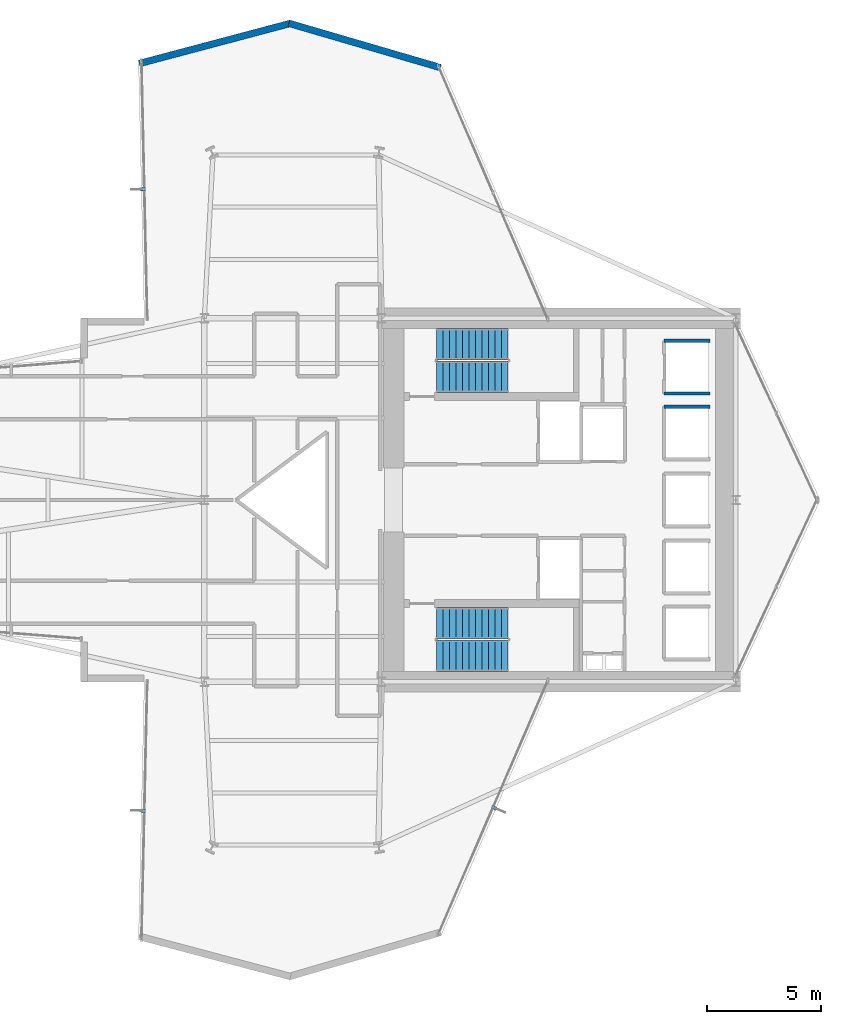
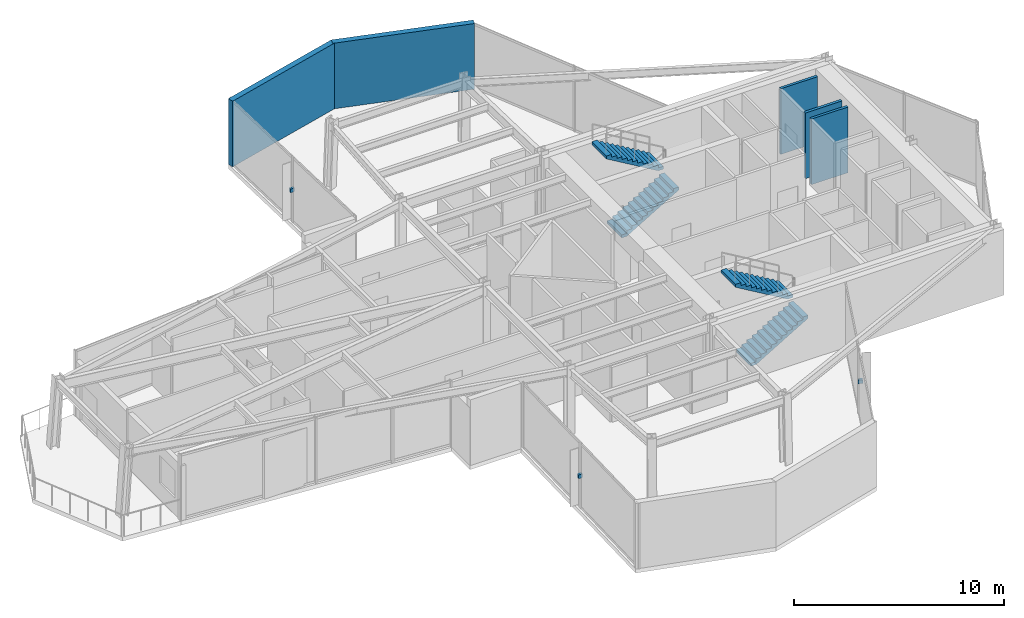
# One storey, part 24 of 26: 5 walls, 4 stair flights, 3 discrete accessories, 2 elements without a shape of their own.
"""IFC4 building model written with IfcOpenShell, lengths in metres."""

from ifc_helpers import new_model, si_unit, direction, frame, frame_2d, origin, origin_2d, place, context, subcontext, project, spatial, polyline, rectangle, outline, extrude, material, layer, layer_set, type_object, element, aggregate, save


model = new_model("IFC4")

# Units and contexts
model_context = context("Model", 3, precision=1e-05, world=origin(), true_north=direction((0.0, 1.0)))
body_context = subcontext(model_context, "Body", "Model", "MODEL_VIEW")
ifc_project = project(units=[si_unit("LENGTHUNIT", "METRE"), si_unit("AREAUNIT", "SQUARE_METRE"), si_unit("VOLUMEUNIT", "CUBIC_METRE"), si_unit("PLANEANGLEUNIT", "RADIAN"), si_unit("MASSUNIT", "GRAM", prefix="KILO")], contexts=[model_context])

# Site, building, storey
site_placement = place(None, origin())
site = spatial("IfcSite", under=ifc_project, at=site_placement, CompositionType="ELEMENT")
building_placement = place(site_placement, origin())
building = spatial("IfcBuilding", under=site, at=building_placement, Name="Veymaron Broadcast Tower", CompositionType="ELEMENT")
storey_placement = place(building_placement, frame((0.0, 0.0, 90.449951171875)))
storey = spatial("IfcBuildingStorey", under=building, at=storey_placement, Name="L20", CompositionType="ELEMENT", Elevation=90.449951171875)

# Walls
ifc_material_1 = material(Name="Precast concrete C40/50 with mineral-wool insulation", Category="concrete")
ifc_layer_1 = layer(ifc_material_1, 0.300048828125)
ifc_layer_set_1 = layer_set([ifc_layer_1], Name="Precast concrete C40/50 with mineral-wool insulation")
wall_type_1 = type_object("IfcWallType", Name="WALL-EXT-300", PredefinedType="STANDARD", material=ifc_layer_set_1)
wall_1_placement = place(storey_placement, frame((41.58642578125, 43.03955078125, 0.0), z_axis=(0.0, 0.0, 1.0), x_axis=(-0.95987901055, 0.280414488045, 0.0)))
element("IfcWall", 1, at=wall_1_placement, inside=storey, type_object=wall_type_1, Name="L20 notched corner facade pier 7-1", PredefinedType="STANDARD", context=body_context, shape_type="SweptSolid", body=[
    extrude(rectangle(XDim=6.943359375, YDim=0.300048828125, at=frame_2d((3.4716796875, 0.0))), origin(), (0.0, 0.0, 1.0), 3.81005859375),
])
wall_2_placement = place(storey_placement, frame((34.996826171875, 44.985595703125, 0.0), z_axis=(0.0, 0.0, 1.0), x_axis=(-0.966505300828, -0.256646651002, 0.0)))
element("IfcWall", 2, at=wall_2_placement, inside=storey, type_object=wall_type_1, Name="L20 notched corner facade pier 8-1", PredefinedType="STANDARD", context=body_context, shape_type="SweptSolid", body=[
    extrude(rectangle(XDim=6.895751953125, YDim=0.300048828125, at=frame_2d((3.44775390625, 0.0))), origin(), (0.0, 0.0, 1.0), 3.81005859375),
])
ifc_material_2 = material(Name="Gypsum fireboard and steel stud framing", Category="steel")
ifc_layer_2 = layer(ifc_material_2, 0.14990234375)
ifc_layer_set_2 = layer_set([ifc_layer_2], Name="Gypsum fireboard and steel stud framing")
wall_type_2 = type_object("IfcWallType", Name="WALL-FIRE-150", PredefinedType="PARTITIONING", material=ifc_layer_set_2)
for number, where, z_axis, x_axis, name in (
    (3, (51.445068359375, 28.68994140625, 0.0), (0.0, 0.0, 1.0), (1.0, 0.0, 0.0), "L20 partition IW-L20-SHS-PL1"),
    (4, (51.445068359375, 31.010009765625, 0.0), (0.0, 0.0, 1.0), (1.0, 0.0, 0.0), "L20 partition IW-L20-SHN-PL1"),
    (5, (51.445068359375, 28.110107421875, 0.0), (0.0, 0.0, 1.0), (1.0, 0.0, 0.0), "L20 partition IW-L20-SHN-PM1"),
):
    element("IfcWall", number, at=place(storey_placement, frame(where, z_axis=z_axis, x_axis=x_axis)), inside=storey, type_object=wall_type_2, Name=name, PredefinedType="PARTITIONING", context=body_context, shape_type="SweptSolid", body=[
        extrude(rectangle(XDim=2.014892578125, YDim=0.14990234375, at=frame_2d((1.00732421875, 0.0))), origin(), (0.0, 0.0, 1.0), 3.81005859375),
    ])

# Stair, stair flights
ifc_material_3 = material(Name="Concrete C50/60", Category="concrete")
stair_type_1 = type_object("IfcStairType", Name="STAIR-CORE-1", PredefinedType="HALF_TURN_STAIR", material=ifc_material_3)
stair_1_placement = place(storey_placement, origin())
stair_1 = element("IfcStair", 6, at=stair_1_placement, inside=storey, type_object=stair_type_1, Name="L20 North protected dog-leg exit stair ST1", PredefinedType="HALF_TURN_STAIR")
ifc_material_4 = material(Name="Precast concrete C50/60", Category="concrete")
stair_flight_type = type_object("IfcStairFlightType", Name="FLT-CORE-RC", PredefinedType="STRAIGHT", material=ifc_material_4)
stair_flight_1_placement = place(storey_placement, frame((41.429931640625, 29.419921875, 0.0), z_axis=(0.0, 0.0, 1.0), x_axis=(1.0, 0.0, 0.0)))
stair_flight_1 = element("IfcStairFlight", 7, at=stair_flight_1_placement, type_object=stair_flight_type, Name="ST1 flight 1", NumberOfRisers=12, NumberOfTreads=11, PredefinedType="STRAIGHT", RiserHeight=0.16875, TreadLength=0.285, context=body_context, shape_type="SweptSolid", body=[
    extrude(outline(polyline([(0.0, 0.0), (0.0, 0.168701171875), (0.284912109375, 0.168701171875), (0.284912109375, 0.33740234375), (0.570068359375, 0.33740234375), (0.570068359375, 0.50634765625), (0.85498046875, 0.50634765625), (0.85498046875, 0.675048828125), (1.139892578125, 0.675048828125), (1.139892578125, 0.84375), (1.425048828125, 0.84375), (1.425048828125, 1.012451171875), (1.7099609375, 1.012451171875), (1.7099609375, 1.18115234375), (1.9951171875, 1.18115234375), (1.9951171875, 1.35009765625), (2.280029296875, 1.35009765625), (2.280029296875, 1.518798828125), (2.56494140625, 1.518798828125), (2.56494140625, 1.6875), (2.85009765625, 1.6875), (2.85009765625, 1.856201171875), (3.135009765625, 1.856201171875), (3.135009765625, 2.02490234375), (3.135009765625, 1.68212890625), (0.294189453125, 0.0), (0.0, 0.0)])), frame((0.0, 0.68994140625, 0.0), z_axis=(0.0, -1.0, 0.0), x_axis=(1.0, 0.0, 0.0)), (0.0, 0.0, 1.0), 1.3798828125),
])
stair_flight_2_placement = place(storey_placement, frame((44.56494140625, 30.860107421875, 2.025146484375), z_axis=(0.0, 0.0, 1.0), x_axis=(-1.0, 0.0, 0.0)))
stair_flight_2 = element("IfcStairFlight", 8, at=stair_flight_2_placement, type_object=stair_flight_type, Name="ST1 flight 2", NumberOfRisers=12, NumberOfTreads=11, PredefinedType="STRAIGHT", RiserHeight=0.16875, TreadLength=0.285, context=body_context, shape_type="SweptSolid", body=[
    extrude(outline(polyline([(0.0, 0.0), (0.0, 0.168701171875), (0.284912109375, 0.168701171875), (0.284912109375, 0.33740234375), (0.570068359375, 0.33740234375), (0.570068359375, 0.50634765625), (0.85498046875, 0.50634765625), (0.85498046875, 0.675048828125), (1.139892578125, 0.675048828125), (1.139892578125, 0.84375), (1.425048828125, 0.84375), (1.425048828125, 1.012451171875), (1.7099609375, 1.012451171875), (1.7099609375, 1.18115234375), (1.9951171875, 1.18115234375), (1.9951171875, 1.35009765625), (2.280029296875, 1.35009765625), (2.280029296875, 1.518798828125), (2.56494140625, 1.518798828125), (2.56494140625, 1.6875), (2.85009765625, 1.6875), (2.85009765625, 1.856201171875), (3.135009765625, 1.856201171875), (3.135009765625, 2.02490234375), (3.135009765625, 1.68212890625), (0.294189453125, 0.0), (0.0, 0.0)])), frame((0.0, 0.68994140625, 0.0), z_axis=(0.0, -1.0, 0.0), x_axis=(1.0, 0.0, 0.0)), (0.0, 0.0, 1.0), 1.3798828125),
])
aggregate(stair_1, [stair_flight_1, stair_flight_2])

stair_type_2 = type_object("IfcStairType", Name="STAIR-CORE-2", PredefinedType="HALF_TURN_STAIR", material=ifc_material_3)
stair_2_placement = place(storey_placement, origin())
stair_2 = element("IfcStair", 9, at=stair_2_placement, inside=storey, type_object=stair_type_2, Name="L20 South protected dog-leg exit stair ST2", PredefinedType="HALF_TURN_STAIR")
stair_flight_3_placement = place(storey_placement, frame((41.429931640625, 17.139892578125, 0.0), z_axis=(0.0, 0.0, 1.0), x_axis=(1.0, 0.0, 0.0)))
stair_flight_3 = element("IfcStairFlight", 10, at=stair_flight_3_placement, type_object=stair_flight_type, Name="ST2 flight 1", NumberOfRisers=12, NumberOfTreads=11, PredefinedType="STRAIGHT", RiserHeight=0.16875, TreadLength=0.285, context=body_context, shape_type="SweptSolid", body=[
    extrude(outline(polyline([(0.0, 0.0), (0.0, 0.168701171875), (0.284912109375, 0.168701171875), (0.284912109375, 0.33740234375), (0.570068359375, 0.33740234375), (0.570068359375, 0.50634765625), (0.85498046875, 0.50634765625), (0.85498046875, 0.675048828125), (1.139892578125, 0.675048828125), (1.139892578125, 0.84375), (1.425048828125, 0.84375), (1.425048828125, 1.012451171875), (1.7099609375, 1.012451171875), (1.7099609375, 1.18115234375), (1.9951171875, 1.18115234375), (1.9951171875, 1.35009765625), (2.280029296875, 1.35009765625), (2.280029296875, 1.518798828125), (2.56494140625, 1.518798828125), (2.56494140625, 1.6875), (2.85009765625, 1.6875), (2.85009765625, 1.856201171875), (3.135009765625, 1.856201171875), (3.135009765625, 2.02490234375), (3.135009765625, 1.68212890625), (0.294189453125, 0.0), (0.0, 0.0)])), frame((0.0, 0.68994140625, 0.0), z_axis=(0.0, -1.0, 0.0), x_axis=(1.0, 0.0, 0.0)), (0.0, 0.0, 1.0), 1.3798828125),
])
stair_flight_4_placement = place(storey_placement, frame((44.56494140625, 18.580078125, 2.025146484375), z_axis=(0.0, 0.0, 1.0), x_axis=(-1.0, 0.0, 0.0)))
stair_flight_4 = element("IfcStairFlight", 11, at=stair_flight_4_placement, type_object=stair_flight_type, Name="ST2 flight 2", NumberOfRisers=12, NumberOfTreads=11, PredefinedType="STRAIGHT", RiserHeight=0.16875, TreadLength=0.285, context=body_context, shape_type="SweptSolid", body=[
    extrude(outline(polyline([(0.0, 0.0), (0.0, 0.168701171875), (0.284912109375, 0.168701171875), (0.284912109375, 0.33740234375), (0.570068359375, 0.33740234375), (0.570068359375, 0.50634765625), (0.85498046875, 0.50634765625), (0.85498046875, 0.675048828125), (1.139892578125, 0.675048828125), (1.139892578125, 0.84375), (1.425048828125, 0.84375), (1.425048828125, 1.012451171875), (1.7099609375, 1.012451171875), (1.7099609375, 1.18115234375), (1.9951171875, 1.18115234375), (1.9951171875, 1.35009765625), (2.280029296875, 1.35009765625), (2.280029296875, 1.518798828125), (2.56494140625, 1.518798828125), (2.56494140625, 1.6875), (2.85009765625, 1.6875), (2.85009765625, 1.856201171875), (3.135009765625, 1.856201171875), (3.135009765625, 2.02490234375), (3.135009765625, 1.68212890625), (0.294189453125, 0.0), (0.0, 0.0)])), frame((0.0, 0.68994140625, 0.0), z_axis=(0.0, -1.0, 0.0), x_axis=(1.0, 0.0, 0.0)), (0.0, 0.0, 1.0), 1.3798828125),
])
aggregate(stair_2, [stair_flight_3, stair_flight_4])

# Discrete accessories
ifc_material_5 = material(Name="Austenitic stainless steel AISI 316L", Category="steel")
ifc_layer_3 = layer(ifc_material_5, 0.1201171875)
ifc_layer_set_3 = layer_set([ifc_layer_3], Name="Austenitic stainless steel AISI 316L")
discrete_accessory_type = type_object("IfcDiscreteAccessoryType", Name="ACC-BRKT-SS1", PredefinedType="BRACKET", material=ifc_layer_set_3)
for number, where, z_axis, x_axis, name in (
    (12, (43.966796875, 10.444580078125, 1.794921875), (0.0, 0.0, 1.0), (0.91796244602, -0.396667301018, 0.0), "CW-L20-E1-1 fin bracket 1"),
    (13, (28.503173828125, 37.67724609375, 1.794921875), (0.0, 0.0, 1.0), (-0.999750077758, -0.022355805128, 0.0), "CW-L20-E9-1 fin bracket 1"),
    (14, (28.503173828125, 10.32275390625, 1.794921875), (0.0, 0.0, 1.0), (-0.999750077758, 0.022355805128, 0.0), "CW-L20-E17-1 fin bracket 1"),
):
    element("IfcDiscreteAccessory", number, at=place(storey_placement, frame(where, z_axis=z_axis, x_axis=x_axis)), inside=storey, type_object=discrete_accessory_type, Name=name, PredefinedType="BRACKET", context=body_context, shape_type="SweptSolid", body=[
        extrude(rectangle(XDim=0.219970703125, YDim=0.139892578125, at=origin_2d()), origin(), (0.0, 0.0, 1.0), 0.219970703125),
    ])

save(model, "model.ifc")
